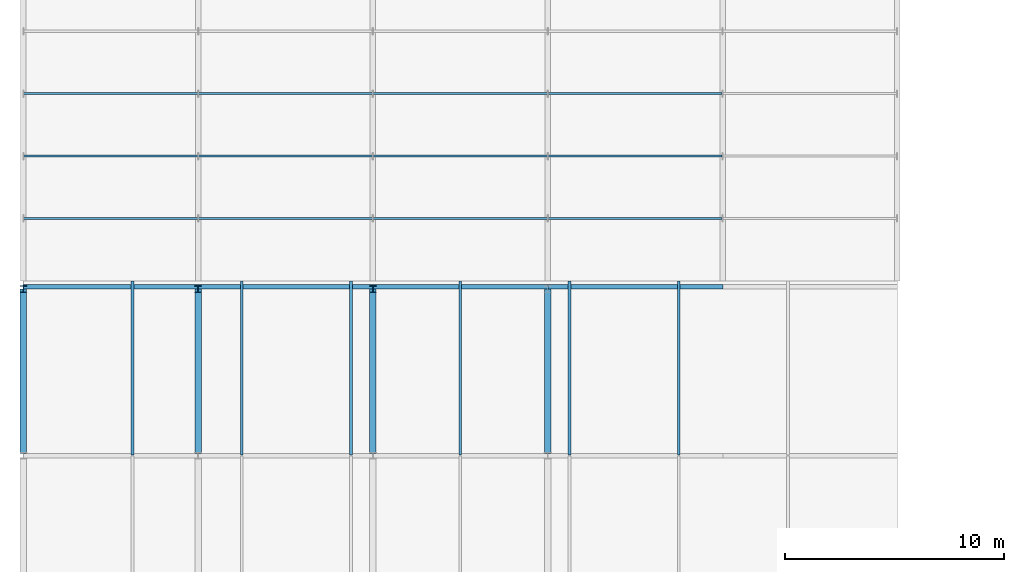
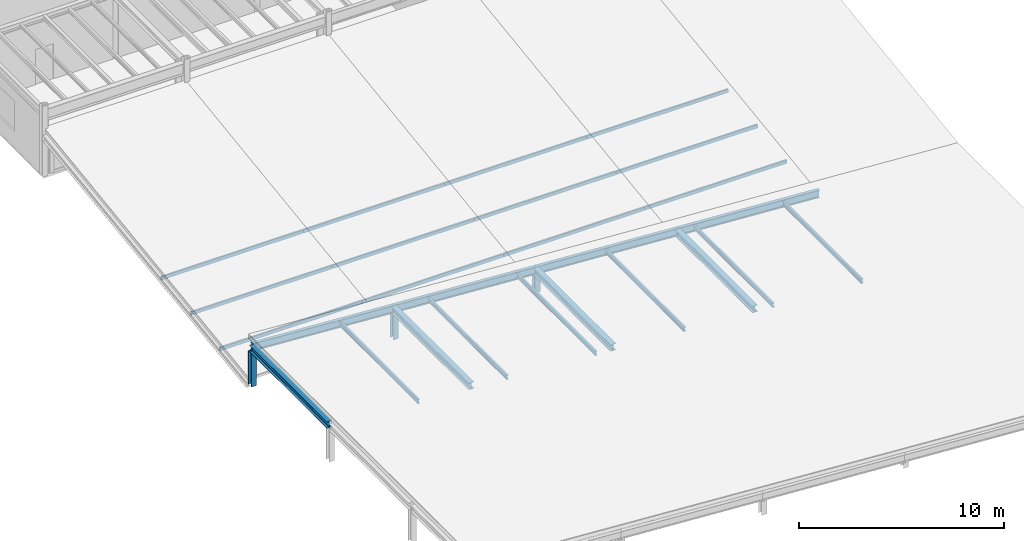
# One storey, part 6 of 77: 25 members, 4 beams.
"""IFC4 building model written with IfcOpenShell, lengths in metres."""

from ifc_helpers import new_model, si_unit, direction, frame, origin, origin_2d, place, context, subcontext, project, spatial, hollow_rectangle, i_section, extrude, material, material_profile, profile_set, type_object, element, save


model = new_model("IFC4")

# Units and contexts
model_context = context("Model", 3, precision=1e-05, world=origin(), true_north=direction((0.0, 1.0)))
body_context = subcontext(model_context, "Body", "Model", "MODEL_VIEW")
ifc_project = project(units=[si_unit("LENGTHUNIT", "METRE"), si_unit("AREAUNIT", "SQUARE_METRE"), si_unit("VOLUMEUNIT", "CUBIC_METRE"), si_unit("PLANEANGLEUNIT", "RADIAN"), si_unit("MASSUNIT", "GRAM", prefix="KILO"), si_unit("THERMODYNAMICTEMPERATUREUNIT", "KELVIN"), si_unit("POWERUNIT", "WATT")], contexts=[model_context])

# Site, building, storey
site_placement = place(None, origin())
site = spatial("IfcSite", under=ifc_project, at=site_placement, CompositionType="ELEMENT")
building_placement = place(site_placement, origin())
building = spatial("IfcBuilding", under=site, at=building_placement, Name="Zhenchuan Central Fire Station", CompositionType="ELEMENT")
storey_placement = place(building_placement, frame((0.0, 0.0, 10.050048828125)))
storey = spatial("IfcBuildingStorey", under=building, at=storey_placement, Name="L03", CompositionType="ELEMENT", Elevation=10.050048828125)

# Beams
ifc_material = material(Name="Steel Q355B", Category="steel")
ifc_material_profile_1 = material_profile(ifc_material, i_section(OverallWidth=0.300048828125, OverallDepth=0.389892578125, WebThickness=0.010009765625, FlangeThickness=0.01611328125, FilletRadius=0.02001953125, at=origin_2d()), Name="HM 390x300")
ifc_profile_set_1 = profile_set([ifc_material_profile_1], Name="Steel Q355B")
beam_type_1 = type_object("IfcBeamType", Name="BM-HM390", PredefinedType="BEAM", material=ifc_profile_set_1)
beam_placement = place(storey_placement, frame((0.0, 14.590087890625, 2.050048828125), z_axis=(0.0, 1.0, 0.0), x_axis=(-1.0, 0.0, 0.0)))
element("IfcBeam", 1, at=beam_placement, inside=storey, type_object=beam_type_1, Name="Lecture Raked Roof Support Girder X=0 Y=14.5", PredefinedType="BEAM", context=body_context, shape_type="SweptSolid", body=[
    extrude(i_section(OverallWidth=0.300048828125, OverallDepth=0.389892578125, WebThickness=0.010009765625, FlangeThickness=0.01611328125, FilletRadius=0.02001953125, at=origin_2d()), origin(), (0.0, 0.0, 1.0), 7.539794921875),
])
ifc_material_profile_2 = material_profile(ifc_material, i_section(OverallWidth=0.300048828125, OverallDepth=0.389892578125, WebThickness=0.010009765625, FlangeThickness=0.01611328125, FilletRadius=0.02001953125, at=origin_2d()), Name="HM 390x300")
ifc_profile_set_2 = profile_set([ifc_material_profile_2], Name="Steel Q355B")
beam_type_2 = type_object("IfcBeamType", Name="BM-HM390-INT", PredefinedType="BEAM", material=ifc_profile_set_2)
for number, where, z_axis, x_axis, name in (
    (2, (8.0, 14.590087890625, 1.5419921875), (0.0, 1.0, 0.0), (-1.0, 0.0, 0.0), "Lecture Raked Roof Support Girder X=8 Y=14.5"),
    (3, (16.0, 14.590087890625, 1.033935546875), (0.0, 1.0, 0.0), (-1.0, 0.0, 0.0), "Lecture Raked Roof Support Girder X=16 Y=14.5"),
    (4, (24.0, 14.590087890625, 0.52587890625), (0.0, 1.0, 0.0), (-1.0, 0.0, 0.0), "Lecture Raked Roof Support Girder X=24 Y=14.5"),
):
    element("IfcBeam", number, at=place(storey_placement, frame(where, z_axis=z_axis, x_axis=x_axis)), inside=storey, type_object=beam_type_2, Name=name, PredefinedType="BEAM", context=body_context, shape_type="SweptSolid", body=[
        extrude(i_section(OverallWidth=0.300048828125, OverallDepth=0.389892578125, WebThickness=0.010009765625, FlangeThickness=0.01611328125, FilletRadius=0.02001953125, at=origin_2d()), origin(), (0.0, 0.0, 1.0), 7.539794921875),
    ])

# Members
ifc_material_profile_3 = material_profile(ifc_material, i_section(OverallWidth=0.300048828125, OverallDepth=0.300048828125, WebThickness=0.010009765625, FlangeThickness=0.014892578125, FilletRadius=0.01806640625, at=origin_2d()), Name="HW 300x300")
ifc_profile_set_3 = profile_set([ifc_material_profile_3], Name="Steel Q355B")
member_type_1 = type_object("IfcMemberType", Name="MB-CH-HW300", PredefinedType="CHORD", material=ifc_profile_set_3)
member_1_placement = place(storey_placement, frame((0.0, 22.1201171875, -0.16015625), z_axis=(0.0, 0.0, 1.0), x_axis=(1.0, 0.0, 0.0)))
element("IfcMember", 5, at=member_1_placement, inside=storey, type_object=member_type_1, Name="Lecture Roof Post X=0 Y=22.12", PredefinedType="POST", context=body_context, shape_type="SweptSolid", body=[
    extrude(i_section(OverallWidth=0.300048828125, OverallDepth=0.300048828125, WebThickness=0.010009765625, FlangeThickness=0.014892578125, FilletRadius=0.01806640625, at=origin_2d()), origin(), (0.0, 0.0, 1.0), 1.9951171875),
])
ifc_material_profile_4 = material_profile(ifc_material, i_section(OverallWidth=0.300048828125, OverallDepth=0.300048828125, WebThickness=0.010009765625, FlangeThickness=0.014892578125, FilletRadius=0.01806640625, at=origin_2d()), Name="HW 300x300")
ifc_profile_set_4 = profile_set([ifc_material_profile_4], Name="Steel Q355B")
member_type_2 = type_object("IfcMemberType", Name="MB-CH-HW300-INT", PredefinedType="CHORD", material=ifc_profile_set_4)
member_2_placement = place(storey_placement, frame((8.0, 22.1201171875, -0.16015625), z_axis=(0.0, 0.0, 1.0), x_axis=(1.0, 0.0, 0.0)))
element("IfcMember", 6, at=member_2_placement, inside=storey, type_object=member_type_2, Name="Lecture Roof Post X=8 Y=22.12", PredefinedType="POST", context=body_context, shape_type="SweptSolid", body=[
    extrude(i_section(OverallWidth=0.300048828125, OverallDepth=0.300048828125, WebThickness=0.010009765625, FlangeThickness=0.014892578125, FilletRadius=0.01806640625, at=origin_2d()), origin(), (0.0, 0.0, 1.0), 1.487060546875),
])
member_3_placement = place(storey_placement, frame((16.0, 22.1201171875, -0.16015625), z_axis=(0.0, 0.0, 1.0), x_axis=(1.0, 0.0, 0.0)))
element("IfcMember", 7, at=member_3_placement, inside=storey, type_object=member_type_2, Name="Lecture Roof Post X=16 Y=22.12", PredefinedType="POST", context=body_context, shape_type="SweptSolid", body=[
    extrude(i_section(OverallWidth=0.300048828125, OverallDepth=0.300048828125, WebThickness=0.010009765625, FlangeThickness=0.014892578125, FilletRadius=0.01806640625, at=origin_2d()), origin(), (0.0, 0.0, 1.0), 0.97900390625),
])
ifc_material_profile_5 = material_profile(ifc_material, i_section(OverallWidth=0.125, OverallDepth=0.25, WebThickness=0.006103515625, FlangeThickness=0.009033203125, FilletRadius=0.011962890625, at=origin_2d()), Name="HN 250x125")
ifc_profile_set_5 = profile_set([ifc_material_profile_5], Name="Steel Q355B")
member_type_3 = type_object("IfcMemberType", Name="MB-PR-HN250", PredefinedType="PURLIN", material=ifc_profile_set_5)
for number, where, z_axis, x_axis, name in (
    (8, (5.0, 14.514892578125, 1.70751953125), (0.0, 1.0, 0.0), (-1.0, 0.0, 0.0), "Lecture Roof Purlin 14-1"),
    (9, (10.0, 14.514892578125, 1.389892578125), (0.0, 1.0, 0.0), (-1.0, 0.0, 0.0), "Lecture Roof Purlin 14-2"),
    (10, (15.0, 14.514892578125, 1.072509765625), (0.0, 1.0, 0.0), (-1.0, 0.0, 0.0), "Lecture Roof Purlin 14-3"),
    (11, (20.0, 14.514892578125, 0.7548828125), (0.0, 1.0, 0.0), (-1.0, 0.0, 0.0), "Lecture Roof Purlin 14-4"),
    (12, (25.0, 14.514892578125, 0.4375), (0.0, 1.0, 0.0), (-1.0, 0.0, 0.0), "Lecture Roof Purlin 14-5"),
    (13, (30.0, 14.514892578125, 0.119873046875), (0.0, 1.0, 0.0), (-1.0, 0.0, 0.0), "Lecture Roof Purlin 14-6"),
):
    element("IfcMember", number, at=place(storey_placement, frame(where, z_axis=z_axis, x_axis=x_axis)), inside=storey, type_object=member_type_3, Name=name, PredefinedType="PURLIN", context=body_context, shape_type="SweptSolid", body=[
        extrude(i_section(OverallWidth=0.125, OverallDepth=0.25, WebThickness=0.006103515625, FlangeThickness=0.009033203125, FilletRadius=0.011962890625, at=origin_2d()), origin(), (0.0, 0.0, 1.0), 7.97021484375),
    ])
ifc_material_profile_6 = material_profile(ifc_material, hollow_rectangle(XDim=0.10009765625, YDim=0.199951171875, WallThickness=0.008056640625, at=origin_2d()), Name="RHS 200x100x8")
ifc_profile_set_6 = profile_set([ifc_material_profile_6], Name="Steel Q355B")
member_type_4 = type_object("IfcMemberType", Name="MB-PR-RHS200", PredefinedType="PURLIN", material=ifc_profile_set_6)
for number, where, z_axis, x_axis, name in (
    (14, (0.014892578125, 25.354248046875, 0.012939453125), (1.0, 0.0, 0.0), (0.0, 1.0, 0.0), "Workshop Sawtooth Purlin 1.1"),
    (15, (0.014892578125, 28.20849609375, 0.395751953125), (1.0, 0.0, 0.0), (0.0, 1.0, 0.0), "Workshop Sawtooth Purlin 1.2"),
    (16, (0.014892578125, 31.06298828125, 0.778564453125), (1.0, 0.0, 0.0), (0.0, 1.0, 0.0), "Workshop Sawtooth Purlin 1.3"),
    (17, (8.014892578125, 25.354248046875, 0.012939453125), (1.0, 0.0, 0.0), (0.0, 1.0, 0.0), "Workshop Sawtooth Purlin 2.1"),
    (18, (8.014892578125, 28.20849609375, 0.395751953125), (1.0, 0.0, 0.0), (0.0, 1.0, 0.0), "Workshop Sawtooth Purlin 2.2"),
    (19, (8.014892578125, 31.06298828125, 0.778564453125), (1.0, 0.0, 0.0), (0.0, 1.0, 0.0), "Workshop Sawtooth Purlin 2.3"),
    (20, (16.014892578125, 25.354248046875, 0.012939453125), (1.0, 0.0, 0.0), (0.0, 1.0, 0.0), "Workshop Sawtooth Purlin 3.1"),
    (21, (16.014892578125, 28.20849609375, 0.395751953125), (1.0, 0.0, 0.0), (0.0, 1.0, 0.0), "Workshop Sawtooth Purlin 3.2"),
    (22, (16.014892578125, 31.06298828125, 0.778564453125), (1.0, 0.0, 0.0), (0.0, 1.0, 0.0), "Workshop Sawtooth Purlin 3.3"),
    (23, (24.014892578125, 25.354248046875, 0.012939453125), (1.0, 0.0, 0.0), (0.0, 1.0, 0.0), "Workshop Sawtooth Purlin 4.1"),
    (24, (24.014892578125, 28.20849609375, 0.395751953125), (1.0, 0.0, 0.0), (0.0, 1.0, 0.0), "Workshop Sawtooth Purlin 4.2"),
    (25, (24.014892578125, 31.06298828125, 0.778564453125), (1.0, 0.0, 0.0), (0.0, 1.0, 0.0), "Workshop Sawtooth Purlin 4.3"),
):
    element("IfcMember", number, at=place(storey_placement, frame(where, z_axis=z_axis, x_axis=x_axis)), inside=storey, type_object=member_type_4, Name=name, PredefinedType="PURLIN", context=body_context, shape_type="SweptSolid", body=[
        extrude(hollow_rectangle(XDim=0.10009765625, YDim=0.199951171875, WallThickness=0.008056640625, at=origin_2d()), origin(), (0.0, 0.0, 1.0), 7.97021484375),
    ])
ifc_material_profile_7 = material_profile(ifc_material, i_section(OverallWidth=0.199951171875, OverallDepth=0.449951171875, WebThickness=0.009033203125, FlangeThickness=0.013916015625, FilletRadius=0.01806640625, at=origin_2d()), Name="HN 450x200")
ifc_profile_set_7 = profile_set([ifc_material_profile_7], Name="Steel Q355B")
member_type_5 = type_object("IfcMemberType", Name="MB-RF-HN450-INT", PredefinedType="RAFTER", material=ifc_profile_set_7)
for number, where, z_axis, x_axis, name in (
    (26, (0.0, 22.219970703125, 2.050048828125), (0.99798950482, 0.0, -0.0633793994), (0.0, 1.0, 0.0), "Lecture Raked Roof Rafter Y=22.5 Bay 1"),
    (27, (8.0, 22.219970703125, 1.5419921875), (0.99798950482, 0.0, -0.0633793994), (0.0, 1.0, 0.0), "Lecture Raked Roof Rafter Y=22.5 Bay 2"),
    (28, (16.0, 22.219970703125, 1.033935546875), (0.99798950482, 0.0, -0.0633793994), (0.0, 1.0, 0.0), "Lecture Raked Roof Rafter Y=22.5 Bay 3"),
    (29, (24.0, 22.219970703125, 0.52587890625), (0.997991430779, 0.0, -0.06334906543), (0.0, 1.0, 0.0), "Lecture Raked Roof Rafter Y=22.5 Bay 4"),
):
    element("IfcMember", number, at=place(storey_placement, frame(where, z_axis=z_axis, x_axis=x_axis)), inside=storey, type_object=member_type_5, Name=name, PredefinedType="RAFTER", context=body_context, shape_type="SweptSolid", body=[
        extrude(i_section(OverallWidth=0.199951171875, OverallDepth=0.449951171875, WebThickness=0.009033203125, FlangeThickness=0.013916015625, FilletRadius=0.01806640625, at=origin_2d()), origin(), (0.0, 0.0, 1.0), 8.01611328125),
    ])

save(model, "model.ifc")
